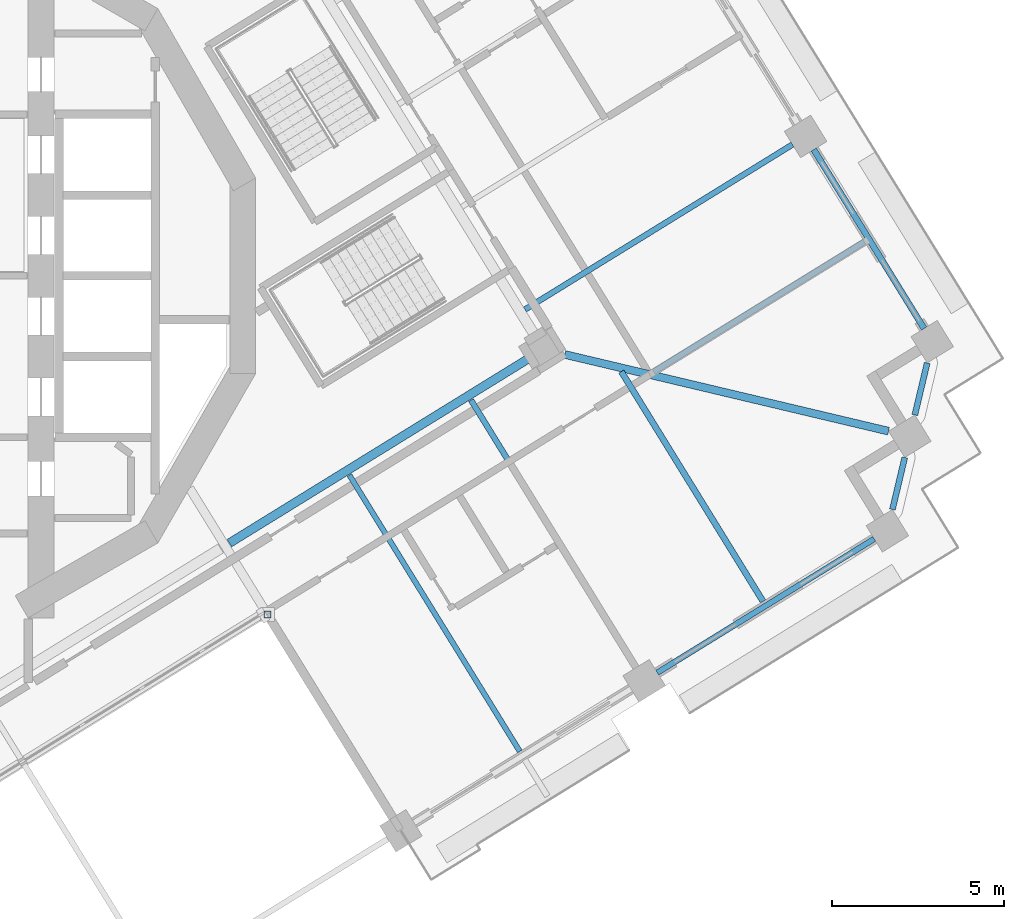
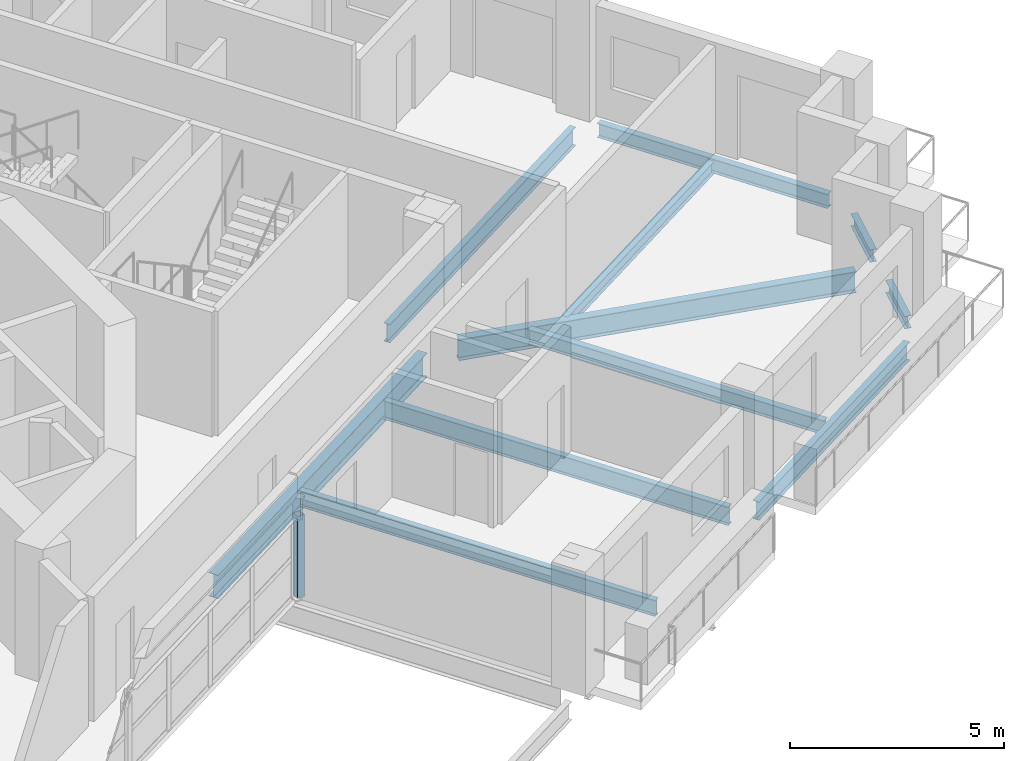
# One storey, part 5 of 22: 11 beams, 1 member.
"""IFC4 building model written with IfcOpenShell, lengths in metres."""

from ifc_helpers import new_model, si_unit, direction, frame, origin, origin_2d, place, context, subcontext, project, spatial, hollow_rectangle, i_section, extrude, material, material_profile, profile_set, type_object, element, save


model = new_model("IFC4")

# Units and contexts
model_context = context("Model", 3, precision=1e-05, world=origin(), true_north=direction((0.0, 1.0)))
body_context = subcontext(model_context, "Body", "Model", "MODEL_VIEW")
ifc_project = project(units=[si_unit("LENGTHUNIT", "METRE"), si_unit("AREAUNIT", "SQUARE_METRE"), si_unit("VOLUMEUNIT", "CUBIC_METRE"), si_unit("PLANEANGLEUNIT", "RADIAN"), si_unit("MASSUNIT", "GRAM", prefix="KILO")], contexts=[model_context])

# Site, building, storey
site_placement = place(None, origin())
site = spatial("IfcSite", under=ifc_project, at=site_placement, CompositionType="ELEMENT")
building_placement = place(site_placement, origin())
building = spatial("IfcBuilding", under=site, at=building_placement, Name="Cantera Rosa Tower", CompositionType="ELEMENT")
storey_placement = place(building_placement, frame((0.0, 0.0, 174.199951171875)))
storey = spatial("IfcBuildingStorey", under=building, at=storey_placement, Name="L38", CompositionType="ELEMENT", Elevation=174.199951171875)

# Member
ifc_material_1 = material(Name="Steel ASTM A992 (Fy 345 MPa)", Category="steel")
ifc_material_profile_1 = material_profile(ifc_material_1, hollow_rectangle(XDim=0.199951171875, YDim=0.199951171875, WallThickness=0.010009765625, at=origin_2d()), Name="LINTEL POST RHS 200x200x10")
ifc_profile_set_1 = profile_set([ifc_material_profile_1], Name="Steel ASTM A992 (Fy 345 MPa)")
member_type = type_object("IfcMemberType", Name="LINTEL POST RHS 200x200x10", PredefinedType="USERDEFINED", material=ifc_profile_set_1)
member_placement = place(storey_placement, frame((10.968994140625, -9.859375, 0.0), z_axis=(0.0, 0.0, 1.0), x_axis=(1.0, 0.0, 0.0)))
element("IfcMember", 1, at=member_placement, inside=storey, type_object=member_type, Name="LINTEL POST L38-2", ObjectType="LINTEL POST", PredefinedType="USERDEFINED", context=body_context, shape_type="SweptSolid", body=[
    extrude(hollow_rectangle(XDim=0.199951171875, YDim=0.199951171875, WallThickness=0.010009765625, at=origin_2d()), origin(), (0.0, 0.0, 1.0), 2.340087890625),
])

# Beams
ifc_material_2 = material(Name="Steel ASTM A992 (Fy 345 MPa)", Category="steel")
ifc_material_profile_2 = material_profile(ifc_material_2, i_section(OverallWidth=0.166015625, OverallDepth=0.528076171875, WebThickness=0.009765625, FlangeThickness=0.013671875, FilletRadius=0.0126953125, at=origin_2d()), Name="W530X74")
ifc_profile_set_2 = profile_set([ifc_material_profile_2], Name="Steel ASTM A992 (Fy 345 MPa)")
beam_type_1 = type_object("IfcBeamType", Name="STEEL BEAM W530X74", PredefinedType="BEAM", material=ifc_profile_set_2)
for number, where, z_axis, x_axis, name in (
    (2, (26.252685546875, 3.82080078125, -0.513916015625), (-0.851116426313, -0.524976979362, 0.0), (0.524976979362, -0.851116426313, 0.0), "G-Z3-01 L38"),
    (3, (21.698974609375, -11.40673828125, -0.513916015625), (-0.524976979362, 0.851116426313, 0.0), (-0.851116426313, -0.524976979362, 0.0), "G-Z3-12 L38"),
):
    element("IfcBeam", number, at=place(storey_placement, frame(where, z_axis=z_axis, x_axis=x_axis)), inside=storey, type_object=beam_type_1, Name=name, PredefinedType="BEAM", context=body_context, shape_type="SweptSolid", body=[
        extrude(i_section(OverallWidth=0.166015625, OverallDepth=0.528076171875, WebThickness=0.009765625, FlangeThickness=0.013671875, FilletRadius=0.0126953125, at=origin_2d()), origin(), (0.0, 0.0, 1.0), 9.14990234375),
    ])
ifc_material_3 = material(Name="Steel ASTM A992 (Fy 345 MPa)", Category="steel")
ifc_material_profile_3 = material_profile(ifc_material_3, i_section(OverallWidth=0.22802734375, OverallDepth=0.60205078125, WebThickness=0.010498046875, FlangeThickness=0.014892578125, FilletRadius=0.0126953125, at=origin_2d()), Name="W610X101")
ifc_profile_set_3 = profile_set([ifc_material_profile_3], Name="Steel ASTM A992 (Fy 345 MPa)")
beam_type_2 = type_object("IfcBeamType", Name="STEEL BEAM W610X101", PredefinedType="BEAM", material=ifc_profile_set_3)
beam_1_placement = place(storey_placement, frame((29.049560546875, -4.523193359375, -0.551025390625), z_axis=(-0.973043389436, 0.230622120091, 0.0), x_axis=(-0.230622120091, -0.973043389436, 0.0)))
element("IfcBeam", 4, at=beam_1_placement, inside=storey, type_object=beam_type_2, Name="CB-Z3-04 L38", PredefinedType="BEAM", context=body_context, shape_type="SweptSolid", body=[
    extrude(i_section(OverallWidth=0.22802734375, OverallDepth=0.60205078125, WebThickness=0.010498046875, FlangeThickness=0.014892578125, FilletRadius=0.0126953125, at=origin_2d()), origin(), (0.0, 0.0, 1.0), 9.6875),
])
ifc_material_4 = material(Name="Steel ASTM A992 (Fy 345 MPa)", Category="steel")
ifc_material_profile_4 = material_profile(ifc_material_4, i_section(OverallWidth=0.25390625, OverallDepth=0.677978515625, WebThickness=0.01171875, FlangeThickness=0.016357421875, FilletRadius=0.01513671875, at=origin_2d()), Name="W690X125")
ifc_profile_set_4 = profile_set([ifc_material_profile_4], Name="Steel ASTM A992 (Fy 345 MPa)")
beam_type_3 = type_object("IfcBeamType", Name="STEEL BEAM W690X125", PredefinedType="BEAM", material=ifc_profile_set_4)
beam_2_placement = place(storey_placement, frame((9.863037109375, -7.780517578125, -0.5888671875), z_axis=(0.851114508358, 0.524980088825, 0.0), x_axis=(-0.524980088825, 0.851114508358, 0.0)))
element("IfcBeam", 5, at=beam_2_placement, inside=storey, type_object=beam_type_3, Name="RB-Z3-04 L38", PredefinedType="BEAM", context=body_context, shape_type="SweptSolid", body=[
    extrude(i_section(OverallWidth=0.25390625, OverallDepth=0.677978515625, WebThickness=0.01171875, FlangeThickness=0.016357421875, FilletRadius=0.01513671875, at=origin_2d()), origin(), (0.0, 0.0, 1.0), 10.2900390625),
])
ifc_material_5 = material(Name="Steel ASTM A992 (Fy 345 MPa)", Category="steel")
ifc_material_profile_5 = material_profile(ifc_material_5, i_section(OverallWidth=0.1708984375, OverallDepth=0.35595703125, WebThickness=0.00732421875, FlangeThickness=0.01171875, FilletRadius=0.010009765625, at=origin_2d()), Name="W360X51")
ifc_profile_set_5 = profile_set([ifc_material_profile_5], Name="Steel ASTM A992 (Fy 345 MPa)")
beam_type_4 = type_object("IfcBeamType", Name="STEEL JOIST W360X51", PredefinedType="JOIST", material=ifc_profile_set_5)
beam_3_placement = place(storey_placement, frame((28.3505859375, 0.990966796875, -0.427978515625), z_axis=(-0.851109089911, -0.524988873283, 0.0), x_axis=(0.524988873283, -0.851109089911, 0.0)))
element("IfcBeam", 6, at=beam_3_placement, inside=storey, type_object=beam_type_4, Name="B-Z3-01 L38", PredefinedType="JOIST", context=body_context, shape_type="SweptSolid", body=[
    extrude(i_section(OverallWidth=0.1708984375, OverallDepth=0.35595703125, WebThickness=0.00732421875, FlangeThickness=0.01171875, FilletRadius=0.010009765625, at=origin_2d()), origin(), (0.0, 0.0, 1.0), 7.2099609375),
])
ifc_material_6 = material(Name="Steel ASTM A992 (Fy 345 MPa)", Category="steel")
ifc_material_profile_6 = material_profile(ifc_material_6, i_section(OverallWidth=0.177978515625, OverallDepth=0.406005859375, WebThickness=0.0078125, FlangeThickness=0.0126953125, FilletRadius=0.01025390625, at=origin_2d()), Name="W410X60")
ifc_profile_set_6 = profile_set([ifc_material_profile_6], Name="Steel ASTM A992 (Fy 345 MPa)")
beam_type_5 = type_object("IfcBeamType", Name="STEEL JOIST W410X60", PredefinedType="JOIST", material=ifc_profile_set_6)
beam_4_placement = place(storey_placement, frame((25.39697265625, -9.478271484375, -0.452880859375), z_axis=(-0.524972339906, 0.851119287958, 0.0), x_axis=(-0.851119287958, -0.524972339906, 0.0)))
element("IfcBeam", 7, at=beam_4_placement, inside=storey, type_object=beam_type_5, Name="B-Z3-15 L38", PredefinedType="JOIST", context=body_context, shape_type="SweptSolid", body=[
    extrude(i_section(OverallWidth=0.177978515625, OverallDepth=0.406005859375, WebThickness=0.0078125, FlangeThickness=0.0126953125, FilletRadius=0.01025390625, at=origin_2d()), origin(), (0.0, 0.0, 1.0), 7.85986328125),
])
ifc_material_7 = material(Name="Steel ASTM A992 (Fy 345 MPa)", Category="steel")
ifc_material_profile_7 = material_profile(ifc_material_7, i_section(OverallWidth=0.154052734375, OverallDepth=0.4599609375, WebThickness=0.009033203125, FlangeThickness=0.015380859375, FilletRadius=0.01025390625, at=origin_2d()), Name="W460X68")
ifc_profile_set_7 = profile_set([ifc_material_profile_7], Name="Steel ASTM A992 (Fy 345 MPa)")
beam_type_6 = type_object("IfcBeamType", Name="STEEL JOIST W460X68", PredefinedType="JOIST", material=ifc_profile_set_7)
beam_5_placement = place(storey_placement, frame((18.315673828125, -13.84619140625, -0.47998046875), z_axis=(-0.524962009542, 0.851125659663, 0.0), x_axis=(-0.851125659663, -0.524962009542, 0.0)))
element("IfcBeam", 8, at=beam_5_placement, inside=storey, type_object=beam_type_6, Name="B-Z3-14 L38", PredefinedType="JOIST", context=body_context, shape_type="SweptSolid", body=[
    extrude(i_section(OverallWidth=0.154052734375, OverallDepth=0.4599609375, WebThickness=0.009033203125, FlangeThickness=0.015380859375, FilletRadius=0.01025390625, at=origin_2d()), origin(), (0.0, 0.0, 1.0), 9.4501953125),
])
ifc_material_8 = material(Name="Steel ASTM A992 (Fy 345 MPa)", Category="steel")
ifc_material_profile_8 = material_profile(ifc_material_8, i_section(OverallWidth=0.1708984375, OverallDepth=0.35595703125, WebThickness=0.00732421875, FlangeThickness=0.01171875, FilletRadius=0.010009765625, at=origin_2d()), Name="W360X51")
ifc_profile_set_8 = profile_set([ifc_material_profile_8], Name="Steel ASTM A992 (Fy 345 MPa)")
beam_type_7 = type_object("IfcBeamType", Name="STEEL SPANDREL BEAM W360X51", PredefinedType="SPANDREL", material=ifc_profile_set_8)
for number, where, z_axis, x_axis, name in (
    (9, (29.163330078125, -6.802734375, -0.427978515625), (0.230552419793, 0.973059906546, 0.0), (-0.973059906546, 0.230552419793, 0.0), "EB-Z3-27 L38"),
    (10, (29.8154296875, -4.050537109375, -0.427978515625), (0.230701014544, 0.973024687194, 0.0), (-0.973024687194, 0.230701014544, 0.0), "EB-Z3-28 L38"),
):
    element("IfcBeam", number, at=place(storey_placement, frame(where, z_axis=z_axis, x_axis=x_axis)), inside=storey, type_object=beam_type_7, Name=name, PredefinedType="SPANDREL", context=body_context, shape_type="SweptSolid", body=[
        extrude(i_section(OverallWidth=0.1708984375, OverallDepth=0.35595703125, WebThickness=0.00732421875, FlangeThickness=0.01171875, FilletRadius=0.010009765625, at=origin_2d()), origin(), (0.0, 0.0, 1.0), 1.5556640625),
    ])
ifc_material_9 = material(Name="Steel ASTM A992 (Fy 345 MPa)", Category="steel")
ifc_material_profile_9 = material_profile(ifc_material_9, i_section(OverallWidth=0.177978515625, OverallDepth=0.406005859375, WebThickness=0.0078125, FlangeThickness=0.0126953125, FilletRadius=0.01025390625, at=origin_2d()), Name="W410X60")
ifc_profile_set_9 = profile_set([ifc_material_profile_9], Name="Steel ASTM A992 (Fy 345 MPa)")
beam_type_8 = type_object("IfcBeamType", Name="STEEL SPANDREL BEAM W410X60", PredefinedType="SPANDREL", material=ifc_profile_set_9)
beam_6_placement = place(storey_placement, frame((30.084716796875, -1.53466796875, -0.452880859375), z_axis=(-0.524987447654, 0.851109969279, 0.0), x_axis=(-0.851109969279, -0.524987447654, 0.0)))
element("IfcBeam", 11, at=beam_6_placement, inside=storey, type_object=beam_type_8, Name="EB-Z3-01 L38", PredefinedType="SPANDREL", context=body_context, shape_type="SweptSolid", body=[
    extrude(i_section(OverallWidth=0.177978515625, OverallDepth=0.406005859375, WebThickness=0.0078125, FlangeThickness=0.0126953125, FilletRadius=0.01025390625, at=origin_2d()), origin(), (0.0, 0.0, 1.0), 6.119873046875),
])
ifc_material_10 = material(Name="Steel ASTM A992 (Fy 345 MPa)", Category="steel")
ifc_material_profile_10 = material_profile(ifc_material_10, i_section(OverallWidth=0.166015625, OverallDepth=0.528076171875, WebThickness=0.009765625, FlangeThickness=0.013671875, FilletRadius=0.0126953125, at=origin_2d()), Name="W530X74")
ifc_profile_set_10 = profile_set([ifc_material_profile_10], Name="Steel ASTM A992 (Fy 345 MPa)")
beam_type_9 = type_object("IfcBeamType", Name="STEEL SPANDREL BEAM W530X74", PredefinedType="SPANDREL", material=ifc_profile_set_10)
beam_7_placement = place(storey_placement, frame((22.318115234375, -11.5537109375, -0.513916015625), z_axis=(0.851111085575, 0.524985637909, 0.0), x_axis=(-0.524985637909, 0.851111085575, 0.0)))
element("IfcBeam", 12, at=beam_7_placement, inside=storey, type_object=beam_type_9, Name="EB-Z3-26 L38", PredefinedType="SPANDREL", context=body_context, shape_type="SweptSolid", body=[
    extrude(i_section(OverallWidth=0.166015625, OverallDepth=0.528076171875, WebThickness=0.009765625, FlangeThickness=0.013671875, FilletRadius=0.0126953125, at=origin_2d()), origin(), (0.0, 0.0, 1.0), 7.420166015625),
])

save(model, "model.ifc")
